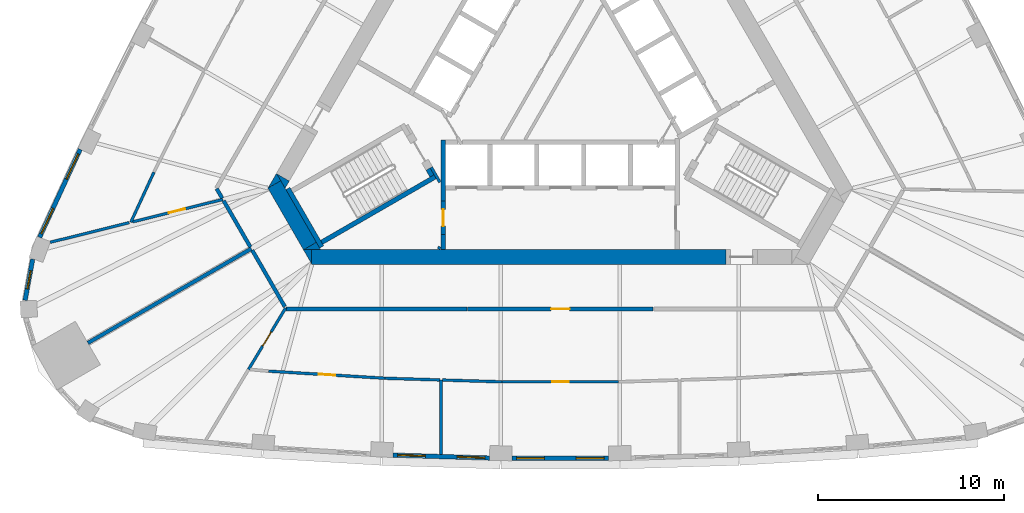
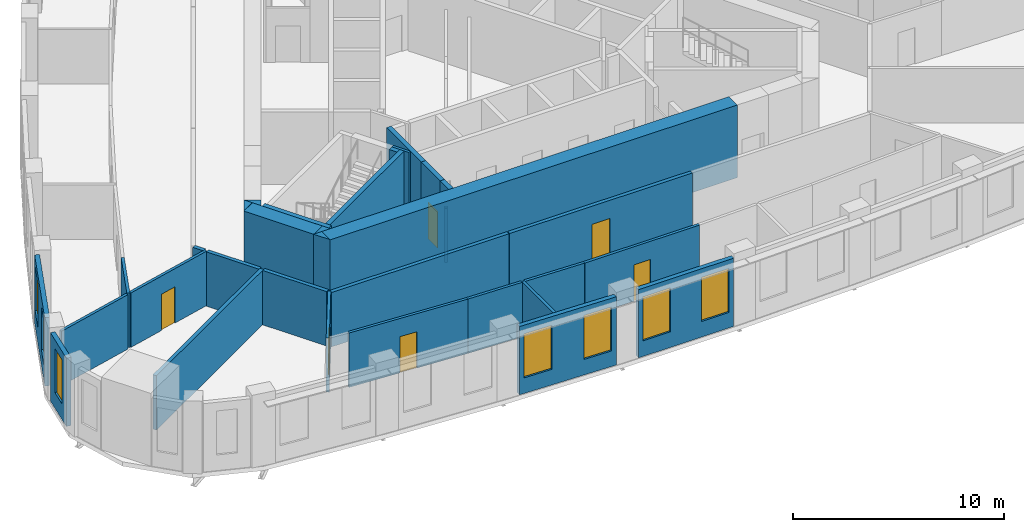
# One storey, part 3 of 10: 33 walls, 7 windows, 6 doors, 13 openings.
"""IFC4 building model written with IfcOpenShell, lengths in metres."""

from ifc_helpers import new_model, si_unit, direction, frame, frame_2d, origin, place, context, subcontext, project, spatial, polyline, rectangle, outline, extrude, material, layer, layer_set, type_object, element, fill, save


model = new_model("IFC4")

# Units and contexts
model_context = context("Model", 3, precision=1e-05, world=origin(), true_north=direction((0.0, 1.0)))
body_context = subcontext(model_context, "Body", "Model", "MODEL_VIEW")
ifc_project = project(units=[si_unit("LENGTHUNIT", "METRE"), si_unit("AREAUNIT", "SQUARE_METRE"), si_unit("VOLUMEUNIT", "CUBIC_METRE"), si_unit("PLANEANGLEUNIT", "RADIAN"), si_unit("MASSUNIT", "GRAM", prefix="KILO")], contexts=[model_context])

# Site, building, storey
site_placement = place(None, origin())
site = spatial("IfcSite", under=ifc_project, at=site_placement, CompositionType="ELEMENT")
building_placement = place(site_placement, origin())
building = spatial("IfcBuilding", under=site, at=building_placement, Name="Mestral Congress Tower", CompositionType="ELEMENT")
storey_placement = place(building_placement, frame((0.0, 0.0, 141.60009765625)))
storey = spatial("IfcBuildingStorey", under=building, at=storey_placement, Name="L33", CompositionType="ELEMENT", Elevation=141.60009765625)

# Walls
ifc_material_1 = material(Name="Fire-rated board partition")
ifc_layer_1 = layer(ifc_material_1, 0.14990234375)
ifc_layer_set_1 = layer_set([ifc_layer_1], Name="Fire-rated board partition")
wall_type_1 = type_object("IfcWallType", Name="Core partition 150", PredefinedType="PARTITIONING", material=ifc_layer_set_1)
wall_1_placement = place(storey_placement, frame((-6.552978515625, -9.6181640625, 0.0), z_axis=(0.0, 0.0, 1.0), x_axis=(0.499915430684, 0.866074224396, 0.0)))
element("IfcWall", 1, at=wall_1_placement, inside=storey, type_object=wall_type_1, Name="L33 core wall", PredefinedType="PARTITIONING", context=body_context, shape_type="SweptSolid", body=[
    extrude(rectangle(XDim=0.14599609375, YDim=0.14990234375, at=frame_2d((0.072998046875, 0.0))), origin(), (0.0, 0.0, 1.0), 3.14990234375),
])
ifc_material_2 = material(Name="Concrete C60/75", Category="concrete")
ifc_layer_2 = layer(ifc_material_2, 0.800048828125)
ifc_layer_set_2 = layer_set([ifc_layer_2], Name="Concrete C60/75")
wall_type_2 = type_object("IfcWallType", Name="Core wall RC 800", PredefinedType="SOLIDWALL", material=ifc_layer_set_2)
wall_2_placement = place(storey_placement, frame((-13.377685546875, -10.050048828125, 0.0), z_axis=(0.0, 0.0, 1.0), x_axis=(1.0, 0.0, 0.0)))
element("IfcWall", 2, at=wall_2_placement, inside=storey, type_object=wall_type_2, Name="L33 core wall", PredefinedType="SOLIDWALL", context=body_context, shape_type="SweptSolid", body=[
    extrude(rectangle(XDim=22.281982421875, YDim=0.800048828125, at=frame_2d((11.14111328125, 0.0))), origin(), (0.0, 0.0, 1.0), 4.199951171875),
])
placement = place(storey_placement, origin())
element("IfcWall", 3, at=placement, inside=storey, type_object=wall_type_2, Name="L33 core wall", PredefinedType="SOLIDWALL", context=body_context, shape_type="SweptSolid", body=[
    extrude(outline(polyline([(-13.82763671875, -9.64990234375), (-13.379638671875, -9.64990234375), (-13.379638671875, -10.42578125), (-13.82763671875, -9.64990234375)])), origin(), (0.0, 0.0, 1.0), 4.199951171875),
])
wall_4_placement = place(storey_placement, frame((-15.38720703125, -6.148193359375, 0.0), z_axis=(0.0, 0.0, 1.0), x_axis=(0.499984020225, -0.866034629516, 0.0)))
element("IfcWall", 4, at=wall_4_placement, inside=storey, type_object=wall_type_2, Name="L33 core wall", PredefinedType="SOLIDWALL", context=body_context, shape_type="SweptSolid", body=[
    extrude(rectangle(XDim=3.824462890625, YDim=0.800048828125, at=frame_2d((1.912109375, 0.0))), origin(), (0.0, 0.0, 1.0), 4.199951171875),
])
element("IfcWall", 5, at=placement, inside=storey, type_object=wall_type_2, Name="L33 core wall", PredefinedType="SOLIDWALL", context=body_context, shape_type="SweptSolid", body=[
    extrude(outline(polyline([(-15.0419921875, -5.946533203125), (-15.728759765625, -6.343017578125), (-15.27099609375, -5.5498046875), (-15.0419921875, -5.946533203125)])), origin(), (0.0, 0.0, 1.0), 4.199951171875),
])
element("IfcWall", 6, at=placement, inside=storey, type_object=wall_type_2, Name="L33 core wall", PredefinedType="SOLIDWALL", context=body_context, shape_type="SweptSolid", body=[
    extrude(outline(polyline([(-12.90380859375, -9.64990234375), (-13.7998046875, -9.64990234375), (-13.127685546875, -9.261962890625), (-12.90380859375, -9.64990234375)])), origin(), (0.0, 0.0, 1.0), 4.199951171875),
])
element("IfcWall", 7, at=placement, inside=storey, type_object=wall_type_2, Name="L33 core wall", PredefinedType="SOLIDWALL", context=body_context, shape_type="SweptSolid", body=[
    extrude(outline(polyline([(-14.80908203125, -6.35009765625), (-15.2568359375, -5.57421875), (-14.5849609375, -5.9619140625), (-14.80908203125, -6.35009765625)])), origin(), (0.0, 0.0, 1.0), 4.199951171875),
])

# Wall, openings, windows
ifc_material_3 = material(Name="Precast concrete C40/50 with limestone facing", Category="masonry")
ifc_layer_3 = layer(ifc_material_3, 0.239990234375)
ifc_layer_set_3 = layer_set([ifc_layer_3], Name="Precast concrete C40/50 with limestone facing")
wall_type_3 = type_object("IfcWallType", Name="Facade stone wall 240", PredefinedType="SOLIDWALL", material=ifc_layer_set_3)
wall_8_placement = place(storey_placement, frame((-9.00732421875, -20.7109375, 0.0), z_axis=(0.0, 0.0, 1.0), x_axis=(0.999533441983, -0.030543384845, 0.0)))
wall_8 = element("IfcWall", 8, at=wall_8_placement, inside=storey, type_object=wall_type_3, Name="Facade wall F0-02", PredefinedType="SOLIDWALL", context=body_context, shape_type="SweptSolid", body=[
    extrude(rectangle(XDim=5.20361328125, YDim=0.239990234375, at=frame_2d((2.601806640625, 0.0))), origin(), (0.0, 0.0, 1.0), 3.949951171875),
])
opening_1_placement = place(wall_8_placement, frame((0.248291015625, 0.0, 0.89990234375)))
opening_1 = element("IfcOpeningElement", 9, at=opening_1_placement, cuts=wall_8, Name="Opening W4", PredefinedType="OPENING", context=body_context, shape_type="SweptSolid", body=[
    extrude(rectangle(XDim=1.5, YDim=2.550048828125, at=frame_2d((0.75, 1.27490234375))), frame((0.0, 0.1298828125, 0.0), z_axis=(0.0, -1.0, 0.0), x_axis=(1.0, 0.0, 0.0)), (0.0, 0.0, 1.0), 0.260009765625),
])
opening_2_placement = place(wall_8_placement, frame((3.455078125, 0.0, 0.89990234375)))
opening_2 = element("IfcOpeningElement", 10, at=opening_2_placement, cuts=wall_8, Name="Opening W4", PredefinedType="OPENING", context=body_context, shape_type="SweptSolid", body=[
    extrude(rectangle(XDim=1.5, YDim=2.550048828125, at=frame_2d((0.75, 1.27490234375))), frame((0.0, 0.1298828125, 0.0), z_axis=(0.0, -1.0, 0.0), x_axis=(1.0, 0.0, 0.0)), (0.0, 0.0, 1.0), 0.260009765625),
])
ifc_material_4 = material(Name="Clear low-emissivity double glazing", Category="glass")
window_type_1 = type_object("IfcWindowType", Name="Facade punched window 1500 x 2550 sill 900", PartitioningType="SINGLE_PANEL", PredefinedType="WINDOW", material=ifc_material_4)
window_1_placement = place(opening_1_placement, origin())
window_1 = element("IfcWindow", 11, at=window_1_placement, inside=storey, type_object=window_type_1, Name="Window F0-02a", OverallHeight=2.550048828125, OverallWidth=1.5, PartitioningType="SINGLE_PANEL", PredefinedType="WINDOW", context=body_context, shape_type="SweptSolid", body=[
    extrude(rectangle(XDim=1.5, YDim=2.550048828125, at=frame_2d((0.75, 1.27490234375))), frame((0.0, 0.0400390625, 0.0), z_axis=(0.0, -1.0, 0.0), x_axis=(1.0, 0.0, 0.0)), (0.0, 0.0, 1.0), 0.06005859375),
])
fill(opening_1, window_1)
window_2_placement = place(opening_2_placement, origin())
window_2 = element("IfcWindow", 12, at=window_2_placement, inside=storey, type_object=window_type_1, Name="Window F0-02b", OverallHeight=2.550048828125, OverallWidth=1.5, PartitioningType="SINGLE_PANEL", PredefinedType="WINDOW", context=body_context, shape_type="SweptSolid", body=[
    extrude(rectangle(XDim=1.5, YDim=2.550048828125, at=frame_2d((0.75, 1.27490234375))), frame((0.0, 0.0400390625, 0.0), z_axis=(0.0, -1.0, 0.0), x_axis=(1.0, 0.0, 0.0)), (0.0, 0.0, 1.0), 0.06005859375),
])
fill(opening_2, window_2)

wall_9_placement = place(storey_placement, frame((-2.601806640625, -20.88818359375, 0.0), z_axis=(0.0, 0.0, 1.0), x_axis=(1.0, 0.0, 0.0)))
wall_9 = element("IfcWall", 13, at=wall_9_placement, inside=storey, type_object=wall_type_3, Name="Facade wall F0-03", PredefinedType="SOLIDWALL", context=body_context, shape_type="SweptSolid", body=[
    extrude(rectangle(XDim=5.20361328125, YDim=0.239990234375, at=frame_2d((2.601806640625, 0.0))), origin(), (0.0, 0.0, 1.0), 3.949951171875),
])
opening_3_placement = place(wall_9_placement, frame((0.248291015625, 0.0, 0.89990234375)))
opening_3 = element("IfcOpeningElement", 14, at=opening_3_placement, cuts=wall_9, Name="Opening W4", PredefinedType="OPENING", context=body_context, shape_type="SweptSolid", body=[
    extrude(rectangle(XDim=1.5, YDim=2.550048828125, at=frame_2d((0.75, 1.27490234375))), frame((0.0, 0.1298828125, 0.0), z_axis=(0.0, -1.0, 0.0), x_axis=(1.0, 0.0, 0.0)), (0.0, 0.0, 1.0), 0.260009765625),
])
opening_4_placement = place(wall_9_placement, frame((3.455078125, 0.0, 0.89990234375)))
opening_4 = element("IfcOpeningElement", 15, at=opening_4_placement, cuts=wall_9, Name="Opening W4", PredefinedType="OPENING", context=body_context, shape_type="SweptSolid", body=[
    extrude(rectangle(XDim=1.5, YDim=2.550048828125, at=frame_2d((0.75, 1.27490234375))), frame((0.0, 0.1298828125, 0.0), z_axis=(0.0, -1.0, 0.0), x_axis=(1.0, 0.0, 0.0)), (0.0, 0.0, 1.0), 0.260009765625),
])
window_3_placement = place(opening_3_placement, origin())
window_3 = element("IfcWindow", 16, at=window_3_placement, inside=storey, type_object=window_type_1, Name="Window F0-03a", OverallHeight=2.550048828125, OverallWidth=1.5, PartitioningType="SINGLE_PANEL", PredefinedType="WINDOW", context=body_context, shape_type="SweptSolid", body=[
    extrude(rectangle(XDim=1.5, YDim=2.550048828125, at=frame_2d((0.75, 1.27490234375))), frame((0.0, 0.0400390625, 0.0), z_axis=(0.0, -1.0, 0.0), x_axis=(1.0, 0.0, 0.0)), (0.0, 0.0, 1.0), 0.06005859375),
])
fill(opening_3, window_3)
window_4_placement = place(opening_4_placement, origin())
window_4 = element("IfcWindow", 17, at=window_4_placement, inside=storey, type_object=window_type_1, Name="Window F0-03b", OverallHeight=2.550048828125, OverallWidth=1.5, PartitioningType="SINGLE_PANEL", PredefinedType="WINDOW", context=body_context, shape_type="SweptSolid", body=[
    extrude(rectangle(XDim=1.5, YDim=2.550048828125, at=frame_2d((0.75, 1.27490234375))), frame((0.0, 0.0400390625, 0.0), z_axis=(0.0, -1.0, 0.0), x_axis=(1.0, 0.0, 0.0)), (0.0, 0.0, 1.0), 0.06005859375),
])
fill(opening_4, window_4)

wall_10_placement = place(storey_placement, frame((-25.8369140625, -4.2578125, 0.0), z_axis=(0.0, 0.0, 1.0), x_axis=(-0.418722559465, -0.908114209885, 0.0)))
wall_10 = element("IfcWall", 18, at=wall_10_placement, inside=storey, type_object=wall_type_3, Name="Facade wall F2-06", PredefinedType="SOLIDWALL", context=body_context, shape_type="SweptSolid", body=[
    extrude(rectangle(XDim=5.213134765625, YDim=0.239990234375, at=frame_2d((2.6064453125, 0.0))), origin(), (0.0, 0.0, 1.0), 3.949951171875),
])
opening_5_placement = place(wall_10_placement, frame((0.2607421875, 0.0, 0.89990234375)))
opening_5 = element("IfcOpeningElement", 19, at=opening_5_placement, cuts=wall_10, Name="Opening W4", PredefinedType="OPENING", context=body_context, shape_type="SweptSolid", body=[
    extrude(rectangle(XDim=1.5, YDim=2.550048828125, at=frame_2d((0.75, 1.27490234375))), frame((0.0, 0.1298828125, 0.0), z_axis=(0.0, -1.0, 0.0), x_axis=(1.0, 0.0, 0.0)), (0.0, 0.0, 1.0), 0.260009765625),
])
opening_6_placement = place(wall_10_placement, frame((3.492431640625, 0.0, 0.89990234375)))
opening_6 = element("IfcOpeningElement", 20, at=opening_6_placement, cuts=wall_10, Name="Opening W4", PredefinedType="OPENING", context=body_context, shape_type="SweptSolid", body=[
    extrude(rectangle(XDim=1.5, YDim=2.550048828125, at=frame_2d((0.75, 1.27490234375))), frame((0.0, 0.1298828125, 0.0), z_axis=(0.0, -1.0, 0.0), x_axis=(1.0, 0.0, 0.0)), (0.0, 0.0, 1.0), 0.260009765625),
])
window_5_placement = place(opening_5_placement, origin())
window_5 = element("IfcWindow", 21, at=window_5_placement, inside=storey, type_object=window_type_1, Name="Window F2-06a", OverallHeight=2.550048828125, OverallWidth=1.5, PartitioningType="SINGLE_PANEL", PredefinedType="WINDOW", context=body_context, shape_type="SweptSolid", body=[
    extrude(rectangle(XDim=1.5, YDim=2.550048828125, at=frame_2d((0.75, 1.27490234375))), frame((0.0, 0.0400390625, 0.0), z_axis=(0.0, -1.0, 0.0), x_axis=(1.0, 0.0, 0.0)), (0.0, 0.0, 1.0), 0.06005859375),
])
fill(opening_5, window_5)
window_6_placement = place(opening_6_placement, origin())
window_6 = element("IfcWindow", 22, at=window_6_placement, inside=storey, type_object=window_type_1, Name="Window F2-06b", OverallHeight=2.550048828125, OverallWidth=1.5, PartitioningType="SINGLE_PANEL", PredefinedType="WINDOW", context=body_context, shape_type="SweptSolid", body=[
    extrude(rectangle(XDim=1.5, YDim=2.550048828125, at=frame_2d((0.75, 1.27490234375))), frame((0.0, 0.0400390625, 0.0), z_axis=(0.0, -1.0, 0.0), x_axis=(1.0, 0.0, 0.0)), (0.0, 0.0, 1.0), 0.06005859375),
])
fill(opening_6, window_6)

# Wall, opening, window
wall_11_placement = place(storey_placement, frame((-28.392578125, -10.166748046875, 0.0), z_axis=(0.0, 0.0, 1.0), x_axis=(-0.180737189259, -0.983531427265, 0.0)))
wall_11 = element("IfcWall", 23, at=wall_11_placement, inside=storey, type_object=wall_type_3, Name="Facade wall K2-0", PredefinedType="SOLIDWALL", context=body_context, shape_type="SweptSolid", body=[
    extrude(rectangle(XDim=2.25048828125, YDim=0.239990234375, at=frame_2d((1.125244140625, 0.0))), origin(), (0.0, 0.0, 1.0), 3.949951171875),
])
opening_7_placement = place(wall_11_placement, frame((0.625244140625, 0.0, 0.89990234375)))
opening_7 = element("IfcOpeningElement", 24, at=opening_7_placement, cuts=wall_11, Name="Opening W5", PredefinedType="OPENING", context=body_context, shape_type="SweptSolid", body=[
    extrude(rectangle(XDim=1.0, YDim=2.550048828125, at=frame_2d((0.5, 1.27490234375))), frame((0.0, 0.1298828125, 0.0), z_axis=(0.0, -1.0, 0.0), x_axis=(1.0, 0.0, 0.0)), (0.0, 0.0, 1.0), 0.260009765625),
])
window_type_2 = type_object("IfcWindowType", Name="Facade punched window 1000 x 2550 sill 900", PartitioningType="SINGLE_PANEL", PredefinedType="WINDOW", material=ifc_material_4)
window_7_placement = place(opening_7_placement, origin())
window_7 = element("IfcWindow", 25, at=window_7_placement, inside=storey, type_object=window_type_2, Name="Window K2-0", OverallHeight=2.550048828125, OverallWidth=1.0, PartitioningType="SINGLE_PANEL", PredefinedType="WINDOW", context=body_context, shape_type="SweptSolid", body=[
    extrude(rectangle(XDim=1.0, YDim=2.550048828125, at=frame_2d((0.5, 1.27490234375))), frame((0.0, 0.0400390625, 0.0), z_axis=(0.0, -1.0, 0.0), x_axis=(1.0, 0.0, 0.0)), (0.0, 0.0, 1.0), 0.06005859375),
])
fill(opening_7, window_7)

# Wall, opening, door
ifc_material_5 = material(Name="Plasterboard partition on steel studs", Category="steel")
ifc_layer_4 = layer(ifc_material_5, 0.14990234375)
ifc_layer_set_4 = layer_set([ifc_layer_4], Name="Plasterboard partition on steel studs")
wall_type_4 = type_object("IfcWallType", Name="Office partition 150", PredefinedType="PARTITIONING", material=ifc_layer_set_4)
wall_12_placement = place(storey_placement, frame((-16.77490234375, -16.097412109375, 0.0), z_axis=(0.0, 0.0, 1.0), x_axis=(0.516793803756, 0.856109902057, 0.0)))
wall_12 = element("IfcWall", 26, at=wall_12_placement, inside=storey, type_object=wall_type_4, Name="Partition", PredefinedType="PARTITIONING", context=body_context, shape_type="SweptSolid", body=[
    extrude(rectangle(XDim=3.85595703125, YDim=0.14990234375, at=frame_2d((1.927978515625, 0.0))), origin(), (0.0, 0.0, 1.0), 3.14990234375),
])
opening_8_placement = place(wall_12_placement, frame((1.455810546875, 0.0, 0.0)))
opening_8 = element("IfcOpeningElement", 27, at=opening_8_placement, cuts=wall_12, Name="Opening O01-001", PredefinedType="OPENING", context=body_context, shape_type="SweptSolid", body=[
    extrude(rectangle(XDim=0.89990234375, YDim=2.10009765625, at=frame_2d((0.449951171875, 1.050048828125))), frame((0.0, 0.0849609375, 0.0), z_axis=(0.0, -1.0, 0.0), x_axis=(1.0, 0.0, 0.0)), (0.0, 0.0, 1.0), 0.169921875),
])
ifc_material_6 = material(Name="Timber door set", Category="wood")
door_type_1 = type_object("IfcDoorType", Name="Office door 900x2100", OperationType="SINGLE_SWING_LEFT", PredefinedType="DOOR", material=ifc_material_6)
door_1_placement = place(opening_8_placement, origin())
door_1 = element("IfcDoor", 28, at=door_1_placement, inside=storey, type_object=door_type_1, Name="Door O01-001", OperationType="SINGLE_SWING_LEFT", OverallHeight=2.10009765625, OverallWidth=0.89990234375, PredefinedType="DOOR", context=body_context, shape_type="SweptSolid", body=[
    extrude(rectangle(XDim=0.89990234375, YDim=2.10009765625, at=frame_2d((0.449951171875, 1.050048828125))), frame((0.0, 0.02490234375, 0.0), z_axis=(0.0, -1.0, 0.0), x_axis=(1.0, 0.0, 0.0)), (0.0, 0.0, 1.0), 0.050048828125),
])
fill(opening_8, door_1)

# Wall
wall_13_placement = place(storey_placement, frame((-6.412109375, -16.668212890625, 0.0), z_axis=(0.0, 0.0, 1.0), x_axis=(0.0, -1.0, 0.0)))
element("IfcWall", 29, at=wall_13_placement, inside=storey, type_object=wall_type_4, Name="Partition", PredefinedType="PARTITIONING", context=body_context, shape_type="SweptSolid", body=[
    extrude(rectangle(XDim=4.001953125, YDim=0.14990234375, at=frame_2d((2.0009765625, 0.0))), origin(), (0.0, 0.0, 1.0), 3.14990234375),
])

# Wall, opening, door
wall_14_placement = place(storey_placement, frame((-9.4208984375, -16.576416015625, 0.0), z_axis=(0.0, 0.0, 1.0), x_axis=(-0.998137075468, 0.061011298754, 0.0)))
wall_14 = element("IfcWall", 30, at=wall_14_placement, inside=storey, type_object=wall_type_4, Name="Partition", PredefinedType="PARTITIONING", context=body_context, shape_type="SweptSolid", body=[
    extrude(rectangle(XDim=6.282470703125, YDim=0.14990234375, at=frame_2d((3.14111328125, 0.0))), origin(), (0.0, 0.0, 1.0), 3.14990234375),
])
opening_9_placement = place(wall_14_placement, frame((2.6826171875, 0.0, 0.0)))
opening_9 = element("IfcOpeningElement", 31, at=opening_9_placement, cuts=wall_14, Name="Opening O01-002", PredefinedType="OPENING", context=body_context, shape_type="SweptSolid", body=[
    extrude(rectangle(XDim=0.89990234375, YDim=2.10009765625, at=frame_2d((0.449951171875, 1.050048828125))), frame((0.0, 0.0849609375, 0.0), z_axis=(0.0, -1.0, 0.0), x_axis=(1.0, 0.0, 0.0)), (0.0, 0.0, 1.0), 0.169921875),
])
door_2_placement = place(opening_9_placement, origin())
door_2 = element("IfcDoor", 32, at=door_2_placement, inside=storey, type_object=door_type_1, Name="Door O01-002", OperationType="SINGLE_SWING_LEFT", OverallHeight=2.10009765625, OverallWidth=0.89990234375, PredefinedType="DOOR", context=body_context, shape_type="SweptSolid", body=[
    extrude(rectangle(XDim=0.89990234375, YDim=2.10009765625, at=frame_2d((0.449951171875, 1.050048828125))), frame((0.0, 0.02490234375, 0.0), z_axis=(0.0, -1.0, 0.0), x_axis=(1.0, 0.0, 0.0)), (0.0, 0.0, 1.0), 0.050048828125),
])
fill(opening_9, door_2)

# Walls
wall_15_placement = place(storey_placement, frame((-9.4208984375, -16.576416015625, 0.0), z_axis=(0.0, 0.0, 1.0), x_axis=(0.999533978083, -0.030525835896, 0.0)))
element("IfcWall", 33, at=wall_15_placement, inside=storey, type_object=wall_type_4, Name="Partition", PredefinedType="PARTITIONING", context=body_context, shape_type="SweptSolid", body=[
    extrude(rectangle(XDim=2.935302734375, YDim=0.14990234375, at=frame_2d((1.4677734375, 0.0))), origin(), (0.0, 0.0, 1.0), 3.14990234375),
])
wall_16_placement = place(storey_placement, frame((-6.3369140625, -16.670654296875, 0.0), z_axis=(0.0, 0.0, 1.0), x_axis=(0.999533369646, -0.030545751995, 0.0)))
element("IfcWall", 34, at=wall_16_placement, inside=storey, type_object=wall_type_4, Name="Partition", PredefinedType="PARTITIONING", context=body_context, shape_type="SweptSolid", body=[
    extrude(rectangle(XDim=3.197021484375, YDim=0.14990234375, at=frame_2d((1.5986328125, 0.0))), origin(), (0.0, 0.0, 1.0), 3.14990234375),
])

# Wall, opening, door
wall_17_placement = place(storey_placement, frame((3.141357421875, -16.768310546875, 0.0), z_axis=(0.0, 0.0, 1.0), x_axis=(-1.0, 0.0, 0.0)))
wall_17 = element("IfcWall", 35, at=wall_17_placement, inside=storey, type_object=wall_type_4, Name="Partition", PredefinedType="PARTITIONING", context=body_context, shape_type="SweptSolid", body=[
    extrude(rectangle(XDim=6.28271484375, YDim=0.14990234375, at=frame_2d((3.141357421875, 0.0))), origin(), (0.0, 0.0, 1.0), 3.14990234375),
])
opening_10_placement = place(wall_17_placement, frame((2.6826171875, 0.0, 0.0)))
opening_10 = element("IfcOpeningElement", 36, at=opening_10_placement, cuts=wall_17, Name="Opening O01-003", PredefinedType="OPENING", context=body_context, shape_type="SweptSolid", body=[
    extrude(rectangle(XDim=0.89990234375, YDim=2.10009765625, at=frame_2d((0.449951171875, 1.050048828125))), frame((0.0, 0.0849609375, 0.0), z_axis=(0.0, -1.0, 0.0), x_axis=(1.0, 0.0, 0.0)), (0.0, 0.0, 1.0), 0.169921875),
])
door_3_placement = place(opening_10_placement, origin())
door_3 = element("IfcDoor", 37, at=door_3_placement, inside=storey, type_object=door_type_1, Name="Door O01-003", OperationType="SINGLE_SWING_LEFT", OverallHeight=2.10009765625, OverallWidth=0.89990234375, PredefinedType="DOOR", context=body_context, shape_type="SweptSolid", body=[
    extrude(rectangle(XDim=0.89990234375, YDim=2.10009765625, at=frame_2d((0.449951171875, 1.050048828125))), frame((0.0, 0.02490234375, 0.0), z_axis=(0.0, -1.0, 0.0), x_axis=(1.0, 0.0, 0.0)), (0.0, 0.0, 1.0), 0.050048828125),
])
fill(opening_10, door_3)

# Walls
wall_18_placement = place(storey_placement, frame((-21.869384765625, -5.492919921875, 0.0), z_axis=(0.0, 0.0, 1.0), x_axis=(-0.418791486232, -0.908082425256, 0.0)))
element("IfcWall", 38, at=wall_18_placement, inside=storey, type_object=wall_type_4, Name="Partition", PredefinedType="PARTITIONING", context=body_context, shape_type="SweptSolid", body=[
    extrude(rectangle(XDim=2.9609375, YDim=0.14990234375, at=frame_2d((1.48046875, 0.0))), origin(), (0.0, 0.0, 1.0), 3.14990234375),
])
wall_19_placement = place(storey_placement, frame((-23.20263671875, -8.204833984375, 0.0), z_axis=(0.0, 0.0, 1.0), x_axis=(-0.970525493326, -0.240998478843, 0.0)))
element("IfcWall", 39, at=wall_19_placement, inside=storey, type_object=wall_type_4, Name="Partition", PredefinedType="PARTITIONING", context=body_context, shape_type="SweptSolid", body=[
    extrude(rectangle(XDim=4.373291015625, YDim=0.14990234375, at=frame_2d((2.1865234375, 0.0))), origin(), (0.0, 0.0, 1.0), 3.14990234375),
])

# Wall, opening, door
wall_20_placement = place(storey_placement, frame((-18.156494140625, -6.951904296875, 0.0), z_axis=(0.0, 0.0, 1.0), x_axis=(-0.97052275783, -0.241009494697, 0.0)))
wall_20 = element("IfcWall", 40, at=wall_20_placement, inside=storey, type_object=wall_type_4, Name="Partition", PredefinedType="PARTITIONING", context=body_context, shape_type="SweptSolid", body=[
    extrude(rectangle(XDim=5.00732421875, YDim=0.14990234375, at=frame_2d((2.503662109375, 0.0))), origin(), (0.0, 0.0, 1.0), 3.14990234375),
])
opening_11_placement = place(wall_20_placement, frame((2.10009765625, 0.0, 0.0)))
opening_11 = element("IfcOpeningElement", 41, at=opening_11_placement, cuts=wall_20, Name="Opening O01-018", PredefinedType="OPENING", context=body_context, shape_type="SweptSolid", body=[
    extrude(rectangle(XDim=0.89990234375, YDim=2.10009765625, at=frame_2d((0.449951171875, 1.050048828125))), frame((0.0, 0.0849609375, 0.0), z_axis=(0.0, -1.0, 0.0), x_axis=(1.0, 0.0, 0.0)), (0.0, 0.0, 1.0), 0.169921875),
])
door_4_placement = place(opening_11_placement, origin())
door_4 = element("IfcDoor", 42, at=door_4_placement, inside=storey, type_object=door_type_1, Name="Door O01-018", OperationType="SINGLE_SWING_RIGHT", OverallHeight=2.10009765625, OverallWidth=0.89990234375, PredefinedType="DOOR", context=body_context, shape_type="SweptSolid", body=[
    extrude(rectangle(XDim=0.89990234375, YDim=2.10009765625, at=frame_2d((0.449951171875, 1.050048828125))), frame((0.0, 0.02490234375, 0.0), z_axis=(0.0, -1.0, 0.0), x_axis=(1.0, 0.0, 0.0)), (0.0, 0.0, 1.0), 0.050048828125),
])
fill(opening_11, door_4)

# Walls
ifc_material_7 = material(Name="Dense masonry wall, plastered", Category="masonry")
ifc_layer_5 = layer(ifc_material_7, 0.199951171875)
ifc_layer_set_5 = layer_set([ifc_layer_5], Name="Dense masonry wall, plastered")
wall_type_5 = type_object("IfcWallType", Name="Office tenancy wall 200", PredefinedType="PARTITIONING", material=ifc_layer_set_5)
wall_21_placement = place(storey_placement, frame((-25.42138671875, -14.677001953125, 0.0), z_axis=(0.0, 0.0, 1.0), x_axis=(0.866031435434, 0.499989552732, 0.0)))
element("IfcWall", 43, at=wall_21_placement, inside=storey, type_object=wall_type_5, Name="Tenancy wall", PredefinedType="PARTITIONING", context=body_context, shape_type="SweptSolid", body=[
    extrude(rectangle(XDim=10.154052734375, YDim=0.199951171875, at=frame_2d((5.0771484375, 0.0))), origin(), (0.0, 0.0, 1.0), 3.14990234375),
])
wall_22_placement = place(storey_placement, frame((-16.57763671875, -9.6865234375, 0.0), z_axis=(0.0, 0.0, 1.0), x_axis=(0.499981686864, -0.86603597662, 0.0)))
element("IfcWall", 44, at=wall_22_placement, inside=storey, type_object=wall_type_5, Name="Tenancy wall", PredefinedType="PARTITIONING", context=body_context, shape_type="SweptSolid", body=[
    extrude(rectangle(XDim=3.505615234375, YDim=0.199951171875, at=frame_2d((1.7529296875, 0.0))), origin(), (0.0, 0.0, 1.0), 3.14990234375),
])

# Wall, opening, door
wall_23_placement = place(storey_placement, frame((-5.0, -12.85009765625, 0.0), z_axis=(0.0, 0.0, 1.0), x_axis=(1.0, 0.0, 0.0)))
wall_23 = element("IfcWall", 45, at=wall_23_placement, inside=storey, type_object=wall_type_5, Name="Tenancy wall", PredefinedType="PARTITIONING", context=body_context, shape_type="SweptSolid", body=[
    extrude(rectangle(XDim=10.0, YDim=0.199951171875, at=frame_2d((5.0, 0.0))), origin(), (0.0, 0.0, 1.0), 3.14990234375),
])
opening_12_placement = place(wall_23_placement, frame((4.5, 0.0, 0.0)))
opening_12 = element("IfcOpeningElement", 46, at=opening_12_placement, cuts=wall_23, Name="Opening O01-005", PredefinedType="OPENING", context=body_context, shape_type="SweptSolid", body=[
    extrude(rectangle(XDim=1.0, YDim=2.10009765625, at=frame_2d((0.5, 1.050048828125))), frame((0.0, 0.10986328125, 0.0), z_axis=(0.0, -1.0, 0.0), x_axis=(1.0, 0.0, 0.0)), (0.0, 0.0, 1.0), 0.219970703125),
])
ifc_material_8 = material(Name="Fire-rated timber door set", Category="wood")
door_type_2 = type_object("IfcDoorType", Name="Office tenancy entrance door 1000x2100", OperationType="SINGLE_SWING_LEFT", PredefinedType="DOOR", material=ifc_material_8)
door_5_placement = place(opening_12_placement, origin())
door_5 = element("IfcDoor", 47, at=door_5_placement, inside=storey, type_object=door_type_2, Name="Door O01-005", OperationType="SINGLE_SWING_RIGHT", OverallHeight=2.10009765625, OverallWidth=1.0, PredefinedType="DOOR", context=body_context, shape_type="SweptSolid", body=[
    extrude(rectangle(XDim=1.0, YDim=2.10009765625, at=frame_2d((0.5, 1.050048828125))), frame((0.0, 0.02490234375, 0.0), z_axis=(0.0, -1.0, 0.0), x_axis=(1.0, 0.0, 0.0)), (0.0, 0.0, 1.0), 0.050048828125),
])
fill(opening_12, door_5)

# Walls
wall_24_placement = place(storey_placement, frame((-14.751220703125, -12.85009765625, 0.0), z_axis=(0.0, 0.0, 1.0), x_axis=(1.0, 0.0, 0.0)))
element("IfcWall", 48, at=wall_24_placement, inside=storey, type_object=wall_type_5, Name="Tenancy wall", PredefinedType="PARTITIONING", context=body_context, shape_type="SweptSolid", body=[
    extrude(rectangle(XDim=9.72119140625, YDim=0.199951171875, at=frame_2d((4.860595703125, 0.0))), origin(), (0.0, 0.0, 1.0), 3.14990234375),
])
wall_25_placement = place(storey_placement, frame((-18.489013671875, -6.3759765625, 0.0), z_axis=(0.0, 0.0, 1.0), x_axis=(0.499986503906, -0.866033195618, 0.0)))
element("IfcWall", 49, at=wall_25_placement, inside=storey, type_object=wall_type_5, Name="Tenancy wall", PredefinedType="PARTITIONING", context=body_context, shape_type="SweptSolid", body=[
    extrude(rectangle(XDim=0.5869140625, YDim=0.199951171875, at=frame_2d((0.29345703125, 0.0))), origin(), (0.0, 0.0, 1.0), 3.14990234375),
])
wall_26_placement = place(storey_placement, frame((-18.11767578125, -7.01953125, 0.0), z_axis=(0.0, 0.0, 1.0), x_axis=(0.500023335103, -0.866011930837, 0.0)))
element("IfcWall", 50, at=wall_26_placement, inside=storey, type_object=wall_type_5, Name="Tenancy wall", PredefinedType="PARTITIONING", context=body_context, shape_type="SweptSolid", body=[
    extrude(rectangle(XDim=2.879638671875, YDim=0.199951171875, at=frame_2d((1.43994140625, 0.0))), origin(), (0.0, 0.0, 1.0), 3.14990234375),
])
ifc_layer_6 = layer(ifc_material_2, 0.25)
ifc_layer_set_6 = layer_set([ifc_layer_6], Name="Concrete C60/75")
wall_type_6 = type_object("IfcWallType", Name="Shaft wall RC 250", PredefinedType="SOLIDWALL", material=ifc_layer_set_6)
wall_27_placement = place(storey_placement, frame((-6.300048828125, -9.64990234375, 0.0), z_axis=(0.0, 0.0, 1.0), x_axis=(0.0, 1.0, 0.0)))
element("IfcWall", 51, at=wall_27_placement, inside=storey, type_object=wall_type_6, Name="L33 core wall", PredefinedType="SOLIDWALL", context=body_context, shape_type="SweptSolid", body=[
    extrude(rectangle(XDim=0.816162109375, YDim=0.25, at=frame_2d((0.408203125, 0.0))), origin(), (0.0, 0.0, 1.0), 4.199951171875),
])
wall_28_placement = place(storey_placement, frame((-6.300048828125, -7.033447265625, 0.0), z_axis=(0.0, 0.0, 1.0), x_axis=(0.0, 1.0, 0.0)))
element("IfcWall", 52, at=wall_28_placement, inside=storey, type_object=wall_type_6, Name="L33 core wall", PredefinedType="SOLIDWALL", context=body_context, shape_type="SweptSolid", body=[
    extrude(rectangle(XDim=3.283447265625, YDim=0.25, at=frame_2d((1.6416015625, 0.0))), origin(), (0.0, 0.0, 1.0), 4.199951171875),
])

# Wall, opening, door
wall_29_placement = place(storey_placement, frame((-6.300048828125, -7.03369140625, 0.0), z_axis=(0.0, 0.0, 1.0), x_axis=(0.0, -1.0, 0.0)))
wall_29 = element("IfcWall", 53, at=wall_29_placement, inside=storey, type_object=wall_type_6, Name="L33 door wall", PredefinedType="SOLIDWALL", context=body_context, shape_type="SweptSolid", body=[
    extrude(rectangle(XDim=1.7998046875, YDim=0.25, at=frame_2d((0.89990234375, 0.0))), origin(), (0.0, 0.0, 1.0), 4.199951171875),
])
opening_13_placement = place(wall_29_placement, frame((0.449951171875, 0.0, 0.0)))
opening_13 = element("IfcOpeningElement", 54, at=opening_13_placement, cuts=wall_29, Name="Opening TD3", PredefinedType="OPENING", context=body_context, shape_type="SweptSolid", body=[
    extrude(rectangle(XDim=0.89990234375, YDim=2.10009765625, at=frame_2d((0.449951171875, 1.050048828125))), frame((0.0, 0.135009765625, 0.0), z_axis=(0.0, -1.0, 0.0), x_axis=(1.0, 0.0, 0.0)), (0.0, 0.0, 1.0), 0.27001953125),
])
ifc_material_9 = material(Name="Fire-rated steel door set", Category="steel")
door_type_3 = type_object("IfcDoorType", Name="Core door SR 900x2100", OperationType="SINGLE_SWING_LEFT", PredefinedType="DOOR", material=ifc_material_9)
door_6_placement = place(opening_13_placement, origin())
door_6 = element("IfcDoor", 55, at=door_6_placement, inside=storey, type_object=door_type_3, Name="Door TD3", OperationType="SINGLE_SWING_LEFT", OverallHeight=2.10009765625, OverallWidth=0.89990234375, PredefinedType="DOOR", context=body_context, shape_type="SweptSolid", body=[
    extrude(rectangle(XDim=0.89990234375, YDim=2.10009765625, at=frame_2d((0.449951171875, 1.050048828125))), frame((0.0, 0.02490234375, 0.0), z_axis=(0.0, -1.0, 0.0), x_axis=(1.0, 0.0, 0.0)), (0.0, 0.0, 1.0), 0.050048828125),
])
fill(opening_13, door_6)

# Walls
ifc_layer_7 = layer(ifc_material_2, 0.14990234375)
ifc_layer_set_7 = layer_set([ifc_layer_7], Name="Concrete C60/75")
wall_type_7 = type_object("IfcWallType", Name="Shaft wall RC 250 door-wall 150", PredefinedType="SOLIDWALL", material=ifc_layer_set_7)
wall_30_placement = place(storey_placement, frame((-6.48046875, -6.026611328125, 0.0), z_axis=(0.0, 0.0, 1.0), x_axis=(-0.499927229454, 0.866067413802, 0.0)))
element("IfcWall", 56, at=wall_30_placement, inside=storey, type_object=wall_type_7, Name="L33 core wall", PredefinedType="PARTITIONING", context=body_context, shape_type="SweptSolid", body=[
    extrude(rectangle(XDim=0.928955078125, YDim=0.14990234375, at=frame_2d((0.46435546875, 0.0))), origin(), (0.0, 0.0, 1.0), 4.199951171875),
])
ifc_layer_8 = layer(ifc_material_2, 0.25)
ifc_layer_set_8 = layer_set([ifc_layer_8], Name="Concrete C60/75")
wall_type_8 = type_object("IfcWallType", Name="Stair wall RC 250", PredefinedType="SOLIDWALL", material=ifc_layer_set_8)
wall_31_placement = place(storey_placement, frame((-12.839599609375, -9.510986328125, 0.0), z_axis=(0.0, 0.0, 1.0), x_axis=(-0.499997733992, 0.866026712061, 0.0)))
element("IfcWall", 57, at=wall_31_placement, inside=storey, type_object=wall_type_8, Name="L33 core wall", PredefinedType="SOLIDWALL", context=body_context, shape_type="SweptSolid", body=[
    extrude(rectangle(XDim=3.6337890625, YDim=0.25, at=frame_2d((1.81689453125, 0.0))), origin(), (0.0, 0.0, 1.0), 4.199951171875),
])
wall_32_placement = place(storey_placement, frame((-12.83984375, -9.2607421875, 0.0), z_axis=(0.0, 0.0, 1.0), x_axis=(0.866016039709, 0.500016218704, 0.0)))
element("IfcWall", 58, at=wall_32_placement, inside=storey, type_object=wall_type_8, Name="L33 core wall", PredefinedType="SOLIDWALL", context=body_context, shape_type="SweptSolid", body=[
    extrude(rectangle(XDim=7.050048828125, YDim=0.25, at=frame_2d((3.52490234375, 0.0))), origin(), (0.0, 0.0, 1.0), 4.199951171875),
])
wall_33_placement = place(storey_placement, frame((-6.905029296875, -5.68994140625, 0.0), z_axis=(0.0, 0.0, 1.0), x_axis=(-0.500402024738, 0.865793170242, 0.0)))
element("IfcWall", 59, at=wall_33_placement, inside=storey, type_object=wall_type_8, Name="L33 core wall", PredefinedType="SOLIDWALL", context=body_context, shape_type="SweptSolid", body=[
    extrude(rectangle(XDim=0.425048828125, YDim=0.25, at=frame_2d((0.21240234375, 0.0))), origin(), (0.0, 0.0, 1.0), 4.199951171875),
])

save(model, "model.ifc")
